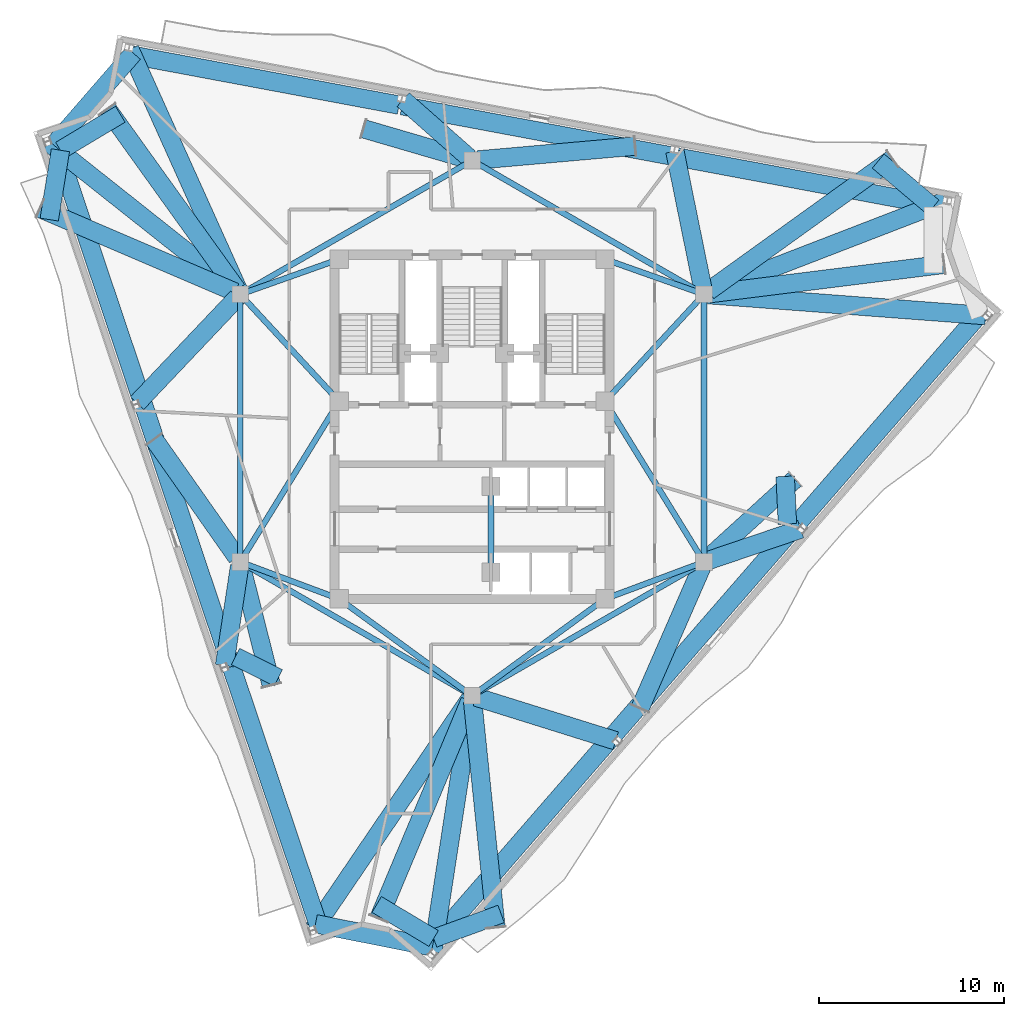
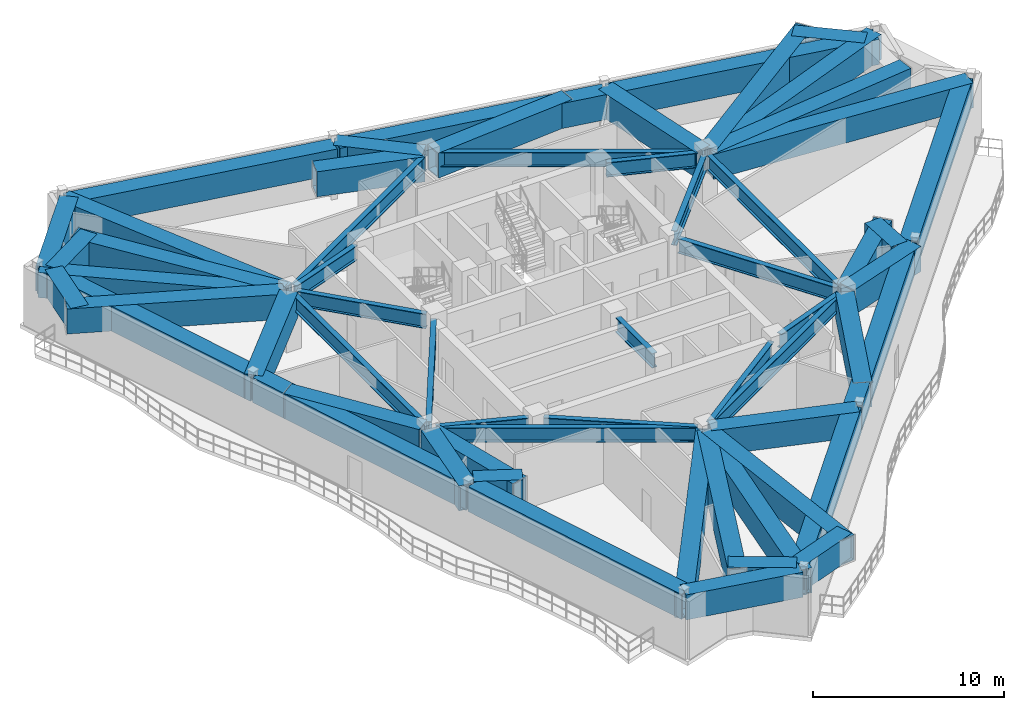
# One storey, part 3 of 10: 59 beams.
"""IFC4 building model written with IfcOpenShell, lengths in metres."""

from ifc_helpers import new_model, si_unit, direction, frame, origin, origin_2d, place, context, subcontext, project, spatial, hollow_rectangle, i_section, extrude, material, material_profile, profile_set, type_object, element, save


model = new_model("IFC4")

# Units and contexts
model_context = context("Model", 3, precision=1e-05, world=origin(), true_north=direction((0.0, 1.0)))
body_context = subcontext(model_context, "Body", "Model", "MODEL_VIEW")
ifc_project = project(units=[si_unit("LENGTHUNIT", "METRE"), si_unit("AREAUNIT", "SQUARE_METRE"), si_unit("VOLUMEUNIT", "CUBIC_METRE"), si_unit("PLANEANGLEUNIT", "RADIAN"), si_unit("MASSUNIT", "GRAM", prefix="KILO")], contexts=[model_context])

# Site, building, storey
site_placement = place(None, origin())
site = spatial("IfcSite", under=ifc_project, at=site_placement, CompositionType="ELEMENT")
building_placement = place(site_placement, origin())
building = spatial("IfcBuilding", under=site, at=building_placement, Name="Apsidion Concourse Tower", CompositionType="ELEMENT")
storey_placement = place(building_placement, frame((0.0, 0.0, 290.10009765625)))
storey = spatial("IfcBuildingStorey", under=building, at=storey_placement, Name="L68", CompositionType="ELEMENT", Elevation=290.10009765625)

# Beams
ifc_material_1 = material(Name="Structural steel ASTM A992 Grade 50", Category="steel")
ifc_material_profile_1 = material_profile(ifc_material_1, i_section(OverallWidth=0.31005859375, OverallDepth=0.931884765625, WebThickness=0.02099609375, FlangeThickness=0.034423828125, at=origin_2d()), Name="W36X210")
ifc_profile_set_1 = profile_set([ifc_material_profile_1], Name="Structural steel ASTM A992 Grade 50")
beam_type_1 = type_object("IfcBeamType", Name="BM-G-W36", PredefinedType="USERDEFINED", material=ifc_profile_set_1)
beam_1_placement = place(storey_placement, frame((-12.185302734375, -7.389892578125, 3.23388671875), z_axis=(0.936913021145, -0.349562570664, 0.0), x_axis=(0.349562570664, 0.936913021145, 0.0)))
element("IfcBeam", 1, at=beam_1_placement, inside=storey, type_object=beam_type_1, Name="L68 Core Coupling Girder IC1-SC1", ObjectType="GIRDER", PredefinedType="USERDEFINED", context=body_context, shape_type="SweptSolid", body=[
    extrude(i_section(OverallWidth=0.31005859375, OverallDepth=0.931884765625, WebThickness=0.02099609375, FlangeThickness=0.034423828125, at=origin_2d()), origin(), (0.0, 0.0, 1.0), 4.921142578125),
])
beam_2_placement = place(storey_placement, frame((-12.35009765625, -6.909423828125, 3.23388671875), z_axis=(0.524524009763, 0.851395656074, 0.0), x_axis=(-0.851395656074, 0.524524009763, 0.0)))
element("IfcBeam", 2, at=beam_2_placement, inside=storey, type_object=beam_type_1, Name="L68 Core Coupling Girder IC1-SC6", ObjectType="GIRDER", PredefinedType="USERDEFINED", context=body_context, shape_type="SweptSolid", body=[
    extrude(i_section(OverallWidth=0.31005859375, OverallDepth=0.931884765625, WebThickness=0.02099609375, FlangeThickness=0.034423828125, at=origin_2d()), origin(), (0.0, 0.0, 1.0), 9.41845703125),
])
beam_3_placement = place(storey_placement, frame((12.185302734375, -7.389892578125, 3.23388671875), z_axis=(-0.936913021145, -0.349562570664, 0.0), x_axis=(0.349562570664, -0.936913021145, 0.0)))
element("IfcBeam", 3, at=beam_3_placement, inside=storey, type_object=beam_type_1, Name="L68 Core Coupling Girder IC2-SC2", ObjectType="GIRDER", PredefinedType="USERDEFINED", context=body_context, shape_type="SweptSolid", body=[
    extrude(i_section(OverallWidth=0.31005859375, OverallDepth=0.931884765625, WebThickness=0.02099609375, FlangeThickness=0.034423828125, at=origin_2d()), origin(), (0.0, 0.0, 1.0), 4.921142578125),
])
beam_4_placement = place(storey_placement, frame((12.35009765625, -6.909423828125, 3.23388671875), z_axis=(-0.524524009763, 0.851395656074, 0.0), x_axis=(-0.851395656074, -0.524524009763, 0.0)))
element("IfcBeam", 4, at=beam_4_placement, inside=storey, type_object=beam_type_1, Name="L68 Core Coupling Girder IC2-SC3", ObjectType="GIRDER", PredefinedType="USERDEFINED", context=body_context, shape_type="SweptSolid", body=[
    extrude(i_section(OverallWidth=0.31005859375, OverallDepth=0.931884765625, WebThickness=0.02099609375, FlangeThickness=0.034423828125, at=origin_2d()), origin(), (0.0, 0.0, 1.0), 9.41845703125),
])
beam_5_placement = place(storey_placement, frame((12.28857421875, 6.956298828125, 3.23388671875), z_axis=(-0.678712876106, -0.73440372535, 0.0), x_axis=(0.73440372535, -0.678712876106, 0.0)))
element("IfcBeam", 5, at=beam_5_placement, inside=storey, type_object=beam_type_1, Name="L68 Core Coupling Girder IC3-SC3", ObjectType="GIRDER", PredefinedType="USERDEFINED", context=body_context, shape_type="SweptSolid", body=[
    extrude(i_section(OverallWidth=0.31005859375, OverallDepth=0.931884765625, WebThickness=0.02099609375, FlangeThickness=0.034423828125, at=origin_2d()), origin(), (0.0, 0.0, 1.0), 7.097412109375),
])
beam_6_placement = place(storey_placement, frame((12.18310546875, 7.383544921875, 3.23388671875), z_axis=(-0.942533844539, 0.334110688094, 0.0), x_axis=(-0.334110688094, -0.942533844539, 0.0)))
element("IfcBeam", 6, at=beam_6_placement, inside=storey, type_object=beam_type_1, Name="L68 Core Coupling Girder IC3-SC4", ObjectType="GIRDER", PredefinedType="USERDEFINED", context=body_context, shape_type="SweptSolid", body=[
    extrude(i_section(OverallWidth=0.31005859375, OverallDepth=0.931884765625, WebThickness=0.02099609375, FlangeThickness=0.034423828125, at=origin_2d()), origin(), (0.0, 0.0, 1.0), 4.886962890625),
])
beam_7_placement = place(storey_placement, frame((-12.28857421875, 6.956298828125, 3.23388671875), z_axis=(0.678712876106, -0.73440372535, 0.0), x_axis=(0.73440372535, 0.678712876106, 0.0)))
element("IfcBeam", 7, at=beam_7_placement, inside=storey, type_object=beam_type_1, Name="L68 Core Coupling Girder IC5-SC6", ObjectType="GIRDER", PredefinedType="USERDEFINED", context=body_context, shape_type="SweptSolid", body=[
    extrude(i_section(OverallWidth=0.31005859375, OverallDepth=0.931884765625, WebThickness=0.02099609375, FlangeThickness=0.034423828125, at=origin_2d()), origin(), (0.0, 0.0, 1.0), 7.097412109375),
])
beam_8_placement = place(storey_placement, frame((-12.18310546875, 7.383544921875, 3.23388671875), z_axis=(0.942533844539, 0.334110688094, 0.0), x_axis=(-0.334110688094, 0.942533844539, 0.0)))
element("IfcBeam", 8, at=beam_8_placement, inside=storey, type_object=beam_type_1, Name="L68 Core Coupling Girder IC5-SC5", ObjectType="GIRDER", PredefinedType="USERDEFINED", context=body_context, shape_type="SweptSolid", body=[
    extrude(i_section(OverallWidth=0.31005859375, OverallDepth=0.931884765625, WebThickness=0.02099609375, FlangeThickness=0.034423828125, at=origin_2d()), origin(), (0.0, 0.0, 1.0), 4.886962890625),
])
for number, where, z_axis, x_axis, name in (
    (9, (-0.3232421875, -14.264404296875, 3.23388671875), (-0.807993498909, 0.589191399905, 0.0), (-0.589191399905, -0.807993498909, 0.0), "L68 Core Coupling Girder IC6-SC1"),
    (10, (0.3232421875, -14.264404296875, 3.23388671875), (0.807993498909, 0.589191399905, 0.0), (-0.589191399905, 0.807993498909, 0.0), "L68 Core Coupling Girder IC6-SC2"),
):
    element("IfcBeam", number, at=place(storey_placement, frame(where, z_axis=z_axis, x_axis=x_axis)), inside=storey, type_object=beam_type_1, Name=name, ObjectType="GIRDER", PredefinedType="USERDEFINED", context=body_context, shape_type="SweptSolid", body=[
        extrude(i_section(OverallWidth=0.31005859375, OverallDepth=0.931884765625, WebThickness=0.02099609375, FlangeThickness=0.034423828125, at=origin_2d()), origin(), (0.0, 0.0, 1.0), 8.11083984375),
    ])
beam_9_placement = place(storey_placement, frame((-12.56005859375, -6.85009765625, 3.23388671875), z_axis=(0.0, 1.0, 0.0), x_axis=(-1.0, 0.0, 0.0)))
element("IfcBeam", 11, at=beam_9_placement, inside=storey, type_object=beam_type_1, Name="L68 Core Coupling Girder IC1-IC5", ObjectType="GIRDER", PredefinedType="USERDEFINED", context=body_context, shape_type="SweptSolid", body=[
    extrude(i_section(OverallWidth=0.31005859375, OverallDepth=0.931884765625, WebThickness=0.02099609375, FlangeThickness=0.034423828125, at=origin_2d()), origin(), (0.0, 0.0, 1.0), 13.7001953125),
])
for number, where, z_axis, x_axis, name in (
    (12, (-12.213623046875, 7.449951171875, 3.23388671875), (0.866070471464, 0.499921932364, 0.0), (-0.499921932364, 0.866070471464, 0.0), "L68 Core Coupling Girder IC5-IC4"),
    (13, (0.346435546875, 14.300048828125, 3.23388671875), (0.866070471464, -0.499921932364, 0.0), (0.499921932364, 0.866070471464, 0.0), "L68 Core Coupling Girder IC4-IC3"),
):
    element("IfcBeam", number, at=place(storey_placement, frame(where, z_axis=z_axis, x_axis=x_axis)), inside=storey, type_object=beam_type_1, Name=name, ObjectType="GIRDER", PredefinedType="USERDEFINED", context=body_context, shape_type="SweptSolid", body=[
        extrude(i_section(OverallWidth=0.31005859375, OverallDepth=0.931884765625, WebThickness=0.02099609375, FlangeThickness=0.034423828125, at=origin_2d()), origin(), (0.0, 0.0, 1.0), 13.702392578125),
    ])
beam_10_placement = place(storey_placement, frame((12.56005859375, 6.85009765625, 3.23388671875), z_axis=(0.0, -1.0, 0.0), x_axis=(1.0, 0.0, 0.0)))
element("IfcBeam", 14, at=beam_10_placement, inside=storey, type_object=beam_type_1, Name="L68 Core Coupling Girder IC3-IC2", ObjectType="GIRDER", PredefinedType="USERDEFINED", context=body_context, shape_type="SweptSolid", body=[
    extrude(i_section(OverallWidth=0.31005859375, OverallDepth=0.931884765625, WebThickness=0.02099609375, FlangeThickness=0.034423828125, at=origin_2d()), origin(), (0.0, 0.0, 1.0), 13.7001953125),
])
for number, where, z_axis, x_axis, name in (
    (15, (12.213623046875, -7.449951171875, 3.23388671875), (-0.866070471464, -0.499921932364, 0.0), (0.499921932364, -0.866070471464, 0.0), "L68 Core Coupling Girder IC2-IC6"),
    (16, (-0.346435546875, -14.300048828125, 3.23388671875), (-0.866070471464, 0.499921932364, 0.0), (-0.499921932364, -0.866070471464, 0.0), "L68 Core Coupling Girder IC6-IC1"),
):
    element("IfcBeam", number, at=place(storey_placement, frame(where, z_axis=z_axis, x_axis=x_axis)), inside=storey, type_object=beam_type_1, Name=name, ObjectType="GIRDER", PredefinedType="USERDEFINED", context=body_context, shape_type="SweptSolid", body=[
        extrude(i_section(OverallWidth=0.31005859375, OverallDepth=0.931884765625, WebThickness=0.02099609375, FlangeThickness=0.034423828125, at=origin_2d()), origin(), (0.0, 0.0, 1.0), 13.702392578125),
    ])
beam_11_placement = place(storey_placement, frame((1.02490234375, -3.550048828125, 3.23388671875), z_axis=(0.0, -1.0, 0.0), x_axis=(1.0, 0.0, 0.0)))
element("IfcBeam", 17, at=beam_11_placement, inside=storey, type_object=beam_type_1, Name="L68 Core Coupling Girder CC5-CC6", ObjectType="GIRDER", PredefinedType="USERDEFINED", context=body_context, shape_type="SweptSolid", body=[
    extrude(i_section(OverallWidth=0.31005859375, OverallDepth=0.931884765625, WebThickness=0.02099609375, FlangeThickness=0.034423828125, at=origin_2d()), origin(), (0.0, 0.0, 1.0), 3.849853515625),
])
ifc_material_2 = material(Name="Structural steel ASTM A572 Grade 50", Category="steel")
ifc_material_profile_2 = material_profile(ifc_material_2, hollow_rectangle(XDim=1.0, YDim=1.60009765625, WallThickness=0.074951171875, at=origin_2d()), Name="BOX1600X1000X75")
ifc_profile_set_2 = profile_set([ifc_material_profile_2], Name="Structural steel ASTM A572 Grade 50")
beam_type_2 = type_object("IfcBeamType", Name="BM-TR-1600", PredefinedType="USERDEFINED", material=ifc_profile_set_2)
for number, where, z_axis, x_axis, name in (
    (18, (-22.618896484375, 15.576416015625, 2.89990234375), (0.318689652952, -0.947859116695, 0.0), (0.947859116695, 0.318689652952, 0.0), "L68 Perimeter Spandrel Girder SP-01"),
    (19, (-17.829345703125, 1.331298828125, 2.89990234375), (0.318669941094, -0.947865743997, 0.0), (0.947865743997, 0.318669941094, 0.0), "L68 Perimeter Spandrel Girder SP-02"),
):
    element("IfcBeam", number, at=place(storey_placement, frame(where, z_axis=z_axis, x_axis=x_axis)), inside=storey, type_object=beam_type_2, Name=name, ObjectType="GIRDER", PredefinedType="USERDEFINED", context=body_context, shape_type="SweptSolid", body=[
        extrude(hollow_rectangle(XDim=1.0, YDim=1.60009765625, WallThickness=0.074951171875, at=origin_2d()), origin(), (0.0, 0.0, 1.0), 14.868896484375),
    ])
beam_12_placement = place(storey_placement, frame((-13.0400390625, -12.9140625, 2.89990234375), z_axis=(0.318674900785, -0.947864076548, 0.0), x_axis=(0.947864076548, 0.318674900785, 0.0)))
element("IfcBeam", 20, at=beam_12_placement, inside=storey, type_object=beam_type_2, Name="L68 Perimeter Spandrel Girder SP-03", ObjectType="GIRDER", PredefinedType="USERDEFINED", context=body_context, shape_type="SweptSolid", body=[
    extrude(hollow_rectangle(XDim=1.0, YDim=1.60009765625, WallThickness=0.074951171875, at=origin_2d()), origin(), (0.0, 0.0, 1.0), 14.86865234375),
])
beam_13_placement = place(storey_placement, frame((-8.48388671875, -26.847412109375, 2.89990234375), z_axis=(0.980932539303, -0.194348535719, 0.0), x_axis=(0.194348535719, 0.980932539303, 0.0)))
element("IfcBeam", 21, at=beam_13_placement, inside=storey, type_object=beam_type_2, Name="L68 Perimeter Spandrel Girder SP-04", ObjectType="GIRDER", PredefinedType="USERDEFINED", context=body_context, shape_type="SweptSolid", body=[
    extrude(hollow_rectangle(XDim=1.0, YDim=1.60009765625, WallThickness=0.074951171875, at=origin_2d()), origin(), (0.0, 0.0, 1.0), 6.45556640625),
])
for number, where, z_axis, x_axis, name in (
    (22, (-2.381103515625, -28.180908203125, 2.89990234375), (0.656050327833, 0.754717143936, 0.0), (-0.754717143936, 0.656050327833, 0.0), "L68 Perimeter Spandrel Girder SP-05"),
    (23, (7.639404296875, -16.653564453125, 2.89990234375), (0.656058326115, 0.754710191222, 0.0), (-0.754710191222, 0.656058326115, 0.0), "L68 Perimeter Spandrel Girder SP-06"),
    (24, (17.659912109375, -5.12646484375, 2.89990234375), (0.656058326115, 0.754710191222, 0.0), (-0.754710191222, 0.656058326115, 0.0), "L68 Perimeter Spandrel Girder SP-07"),
):
    element("IfcBeam", number, at=place(storey_placement, frame(where, z_axis=z_axis, x_axis=x_axis)), inside=storey, type_object=beam_type_2, Name=name, ObjectType="GIRDER", PredefinedType="USERDEFINED", context=body_context, shape_type="SweptSolid", body=[
        extrude(hollow_rectangle(XDim=1.0, YDim=1.60009765625, WallThickness=0.074951171875, at=origin_2d()), origin(), (0.0, 0.0, 1.0), 15.113525390625),
    ])
beam_14_placement = place(storey_placement, frame((25.58935546875, 11.979736328125, 2.89990234375), z_axis=(-0.982991131908, 0.183653027718, 0.0), x_axis=(-0.183653027718, -0.982991131908, 0.0)))
element("IfcBeam", 25, at=beam_14_placement, inside=storey, type_object=beam_type_2, Name="L68 Perimeter Spandrel Girder SP-09", ObjectType="GIRDER", PredefinedType="USERDEFINED", context=body_context, shape_type="SweptSolid", body=[
    extrude(hollow_rectangle(XDim=1.0, YDim=1.60009765625, WallThickness=0.074951171875, at=origin_2d()), origin(), (0.0, 0.0, 1.0), 14.868896484375),
])
beam_15_placement = place(storey_placement, frame((10.81640625, 14.739990234375, 2.89990234375), z_axis=(-0.982991685702, 0.183650063549, 0.0), x_axis=(-0.183650063549, -0.982991685702, 0.0)))
element("IfcBeam", 26, at=beam_15_placement, inside=storey, type_object=beam_type_2, Name="L68 Perimeter Spandrel Girder SP-10", ObjectType="GIRDER", PredefinedType="USERDEFINED", context=body_context, shape_type="SweptSolid", body=[
    extrude(hollow_rectangle(XDim=1.0, YDim=1.60009765625, WallThickness=0.074951171875, at=origin_2d()), origin(), (0.0, 0.0, 1.0), 14.869140625),
])
beam_16_placement = place(storey_placement, frame((-3.956787109375, 17.5, 2.89990234375), z_axis=(-0.982988167573, 0.183668893422, 0.0), x_axis=(-0.183668893422, -0.982988167573, 0.0)))
element("IfcBeam", 27, at=beam_16_placement, inside=storey, type_object=beam_type_2, Name="L68 Perimeter Spandrel Girder SP-11", ObjectType="GIRDER", PredefinedType="USERDEFINED", context=body_context, shape_type="SweptSolid", body=[
    extrude(hollow_rectangle(XDim=1.0, YDim=1.60009765625, WallThickness=0.074951171875, at=origin_2d()), origin(), (0.0, 0.0, 1.0), 14.868896484375),
])
beam_17_placement = place(storey_placement, frame((-18.347412109375, 20.309326171875, 2.89990234375), z_axis=(-0.656066663254, -0.754702943791, 0.0), x_axis=(0.754702943791, -0.656066663254, 0.0)))
element("IfcBeam", 28, at=beam_17_placement, inside=storey, type_object=beam_type_2, Name="L68 Perimeter Spandrel Girder SP-12", ObjectType="GIRDER", PredefinedType="USERDEFINED", context=body_context, shape_type="SweptSolid", body=[
    extrude(hollow_rectangle(XDim=1.0, YDim=1.60009765625, WallThickness=0.074951171875, at=origin_2d()), origin(), (0.0, 0.0, 1.0), 6.58154296875),
])
beam_18_placement = place(storey_placement, frame((-12.732421875, 7.38671875, 2.89990234375), z_axis=(-0.783584000329, 0.621285855648, 0.0), x_axis=(-0.621285855648, -0.783584000329, 0.0)))
element("IfcBeam", 29, at=beam_18_placement, inside=storey, type_object=beam_type_2, Name="L68 Radial Floor Girder RAD-01", ObjectType="GIRDER", PredefinedType="USERDEFINED", context=body_context, shape_type="SweptSolid", body=[
    extrude(hollow_rectangle(XDim=1.0, YDim=1.60009765625, WallThickness=0.074951171875, at=origin_2d()), origin(), (0.0, 0.0, 1.0), 13.009033203125),
])
beam_19_placement = place(storey_placement, frame((-12.71142578125, 7.09033203125, 2.89990234375), z_axis=(-0.688064364837, -0.72564966054, 0.0), x_axis=(0.72564966054, -0.688064364837, 0.0)))
element("IfcBeam", 30, at=beam_19_placement, inside=storey, type_object=beam_type_2, Name="L68 Radial Floor Girder RAD-02", ObjectType="GIRDER", PredefinedType="USERDEFINED", context=body_context, shape_type="SweptSolid", body=[
    extrude(hollow_rectangle(XDim=1.0, YDim=1.60009765625, WallThickness=0.074951171875, at=origin_2d()), origin(), (0.0, 0.0, 1.0), 7.898681640625),
])
beam_20_placement = place(storey_placement, frame((-12.593017578125, -7.467529296875, 2.89990234375), z_axis=(-0.149944598724, -0.988694400365, 0.0), x_axis=(0.988694400365, -0.149944598724, 0.0)))
element("IfcBeam", 31, at=beam_20_placement, inside=storey, type_object=beam_type_2, Name="L68 Radial Floor Girder RAD-03", ObjectType="GIRDER", PredefinedType="USERDEFINED", context=body_context, shape_type="SweptSolid", body=[
    extrude(hollow_rectangle(XDim=1.0, YDim=1.60009765625, WallThickness=0.074951171875, at=origin_2d()), origin(), (0.0, 0.0, 1.0), 5.45458984375),
])
beam_21_placement = place(storey_placement, frame((-0.123779296875, -14.681884765625, 2.89990234375), z_axis=(-0.56217993865, -0.827014943383, 0.0), x_axis=(0.827014943383, -0.56217993865, 0.0)))
element("IfcBeam", 32, at=beam_21_placement, inside=storey, type_object=beam_type_2, Name="L68 Radial Floor Girder RAD-04", ObjectType="GIRDER", PredefinedType="USERDEFINED", context=body_context, shape_type="SweptSolid", body=[
    extrude(hollow_rectangle(XDim=1.0, YDim=1.60009765625, WallThickness=0.074951171875, at=origin_2d()), origin(), (0.0, 0.0, 1.0), 15.0419921875),
])
beam_22_placement = place(storey_placement, frame((-0.033447265625, -14.717529296875, 2.89990234375), z_axis=(-0.151664637663, -0.988432009641, 0.0), x_axis=(0.988432009641, -0.151664637663, 0.0)))
element("IfcBeam", 33, at=beam_22_placement, inside=storey, type_object=beam_type_2, Name="L68 Radial Floor Girder RAD-05", ObjectType="GIRDER", PredefinedType="USERDEFINED", context=body_context, shape_type="SweptSolid", body=[
    extrude(hollow_rectangle(XDim=1.0, YDim=1.60009765625, WallThickness=0.074951171875, at=origin_2d()), origin(), (0.0, 0.0, 1.0), 13.833984375),
])
beam_23_placement = place(storey_placement, frame((0.2099609375, -14.565673828125, 2.89990234375), z_axis=(0.954387901166, -0.298569479532, 0.0), x_axis=(0.298569479532, 0.954387901166, 0.0)))
element("IfcBeam", 34, at=beam_23_placement, inside=storey, type_object=beam_type_2, Name="L68 Radial Floor Girder RAD-06", ObjectType="GIRDER", PredefinedType="USERDEFINED", context=body_context, shape_type="SweptSolid", body=[
    extrude(hollow_rectangle(XDim=1.0, YDim=1.60009765625, WallThickness=0.074951171875, at=origin_2d()), origin(), (0.0, 0.0, 1.0), 7.93017578125),
])
beam_24_placement = place(storey_placement, frame((12.768310546875, -7.17919921875, 2.89990234375), z_axis=(0.946764063089, 0.321928266612, 0.0), x_axis=(-0.321928266612, 0.946764063089, 0.0)))
element("IfcBeam", 35, at=beam_24_placement, inside=storey, type_object=beam_type_2, Name="L68 Radial Floor Girder RAD-07", ObjectType="GIRDER", PredefinedType="USERDEFINED", context=body_context, shape_type="SweptSolid", body=[
    extrude(hollow_rectangle(XDim=1.0, YDim=1.60009765625, WallThickness=0.074951171875, at=origin_2d()), origin(), (0.0, 0.0, 1.0), 5.31396484375),
])
beam_25_placement = place(storey_placement, frame((12.779296875, 7.2333984375, 2.89990234375), z_axis=(0.997162813541, -0.075274984495, 0.0), x_axis=(0.075274984495, 0.997162813541, 0.0)))
element("IfcBeam", 36, at=beam_25_placement, inside=storey, type_object=beam_type_2, Name="L68 Radial Floor Girder RAD-08", ObjectType="GIRDER", PredefinedType="USERDEFINED", context=body_context, shape_type="SweptSolid", body=[
    extrude(hollow_rectangle(XDim=1.0, YDim=1.60009765625, WallThickness=0.074951171875, at=origin_2d()), origin(), (0.0, 0.0, 1.0), 15.078125),
])
beam_26_placement = place(storey_placement, frame((12.76513671875, 7.3291015625, 2.89990234375), z_axis=(0.932864861943, 0.360226525053, 0.0), x_axis=(-0.360226525053, 0.932864861943, 0.0)))
element("IfcBeam", 37, at=beam_26_placement, inside=storey, type_object=beam_type_2, Name="L68 Radial Floor Girder RAD-09", ObjectType="GIRDER", PredefinedType="USERDEFINED", context=body_context, shape_type="SweptSolid", body=[
    extrude(hollow_rectangle(XDim=1.0, YDim=1.60009765625, WallThickness=0.074951171875, at=origin_2d()), origin(), (0.0, 0.0, 1.0), 13.806396484375),
])
beam_27_placement = place(storey_placement, frame((12.51611328125, 7.465576171875, 2.89990234375), z_axis=(-0.199174271345, 0.97996408589, 0.0), x_axis=(-0.97996408589, -0.199174271345, 0.0)))
element("IfcBeam", 38, at=beam_27_placement, inside=storey, type_object=beam_type_2, Name="L68 Radial Floor Girder RAD-10", ObjectType="GIRDER", PredefinedType="USERDEFINED", context=body_context, shape_type="SweptSolid", body=[
    extrude(hollow_rectangle(XDim=1.0, YDim=1.60009765625, WallThickness=0.074951171875, at=origin_2d()), origin(), (0.0, 0.0, 1.0), 7.689208984375),
])
beam_28_placement = place(storey_placement, frame((-0.1650390625, 14.6455078125, 2.89990234375), z_axis=(-0.749977100091, 0.661463792917, 0.0), x_axis=(-0.661463792917, -0.749977100091, 0.0)))
element("IfcBeam", 39, at=beam_28_placement, inside=storey, type_object=beam_type_2, Name="L68 Radial Floor Girder RAD-11", ObjectType="GIRDER", PredefinedType="USERDEFINED", context=body_context, shape_type="SweptSolid", body=[
    extrude(hollow_rectangle(XDim=1.0, YDim=1.60009765625, WallThickness=0.074951171875, at=origin_2d()), origin(), (0.0, 0.0, 1.0), 4.758056640625),
])
beam_29_placement = place(storey_placement, frame((-12.650390625, 7.45068359375, 2.89990234375), z_axis=(-0.410678909967, 0.911780035375, 0.0), x_axis=(-0.911780035375, -0.410678909967, 0.0)))
element("IfcBeam", 40, at=beam_29_placement, inside=storey, type_object=beam_type_2, Name="L68 Radial Floor Girder RAD-12", ObjectType="GIRDER", PredefinedType="USERDEFINED", context=body_context, shape_type="SweptSolid", body=[
    extrude(hollow_rectangle(XDim=1.0, YDim=1.60009765625, WallThickness=0.074951171875, at=origin_2d()), origin(), (0.0, 0.0, 1.0), 14.342529296875),
])
beam_30_placement = place(storey_placement, frame((-12.835693359375, 7.3681640625, 2.89990234375), z_axis=(-0.919053779897, 0.394132147454, 0.0), x_axis=(-0.394132147454, -0.919053779897, 0.0)))
element("IfcBeam", 41, at=beam_30_placement, inside=storey, type_object=beam_type_2, Name="L68 Block-Step Radial Transfer Girder NTR-01", ObjectType="GIRDER", PredefinedType="USERDEFINED", context=body_context, shape_type="SweptSolid", body=[
    extrude(hollow_rectangle(XDim=1.0, YDim=1.60009765625, WallThickness=0.074951171875, at=origin_2d()), origin(), (0.0, 0.0, 1.0), 11.4892578125),
])
beam_31_placement = place(storey_placement, frame((-22.300048828125, 15.0556640625, 2.89990234375), z_axis=(-0.159391813986, -0.987215401842, 0.0), x_axis=(0.987215401842, -0.159391813986, 0.0)))
element("IfcBeam", 42, at=beam_31_placement, inside=storey, type_object=beam_type_2, Name="L68 Block-Step Perimeter Transfer Bridge NBR-01", ObjectType="GIRDER", PredefinedType="USERDEFINED", context=body_context, shape_type="SweptSolid", body=[
    extrude(hollow_rectangle(XDim=1.0, YDim=1.60009765625, WallThickness=0.074951171875, at=origin_2d()), origin(), (0.0, 0.0, 1.0), 3.8046875),
])
beam_32_placement = place(storey_placement, frame((-12.732421875, -7.00439453125, 2.89990234375), z_axis=(-0.574913830883, 0.818213961663, 0.0), x_axis=(-0.818213961663, -0.574913830883, 0.0)))
element("IfcBeam", 43, at=beam_32_placement, inside=storey, type_object=beam_type_2, Name="L68 Block-Step Radial Transfer Girder NTR-02", ObjectType="GIRDER", PredefinedType="USERDEFINED", context=body_context, shape_type="SweptSolid", body=[
    extrude(hollow_rectangle(XDim=1.0, YDim=1.60009765625, WallThickness=0.074951171875, at=origin_2d()), origin(), (0.0, 0.0, 1.0), 7.806884765625),
])
beam_33_placement = place(storey_placement, frame((-12.486572265625, -7.541015625, 2.89990234375), z_axis=(0.244810699195, -0.969570895582, 0.0), x_axis=(0.969570895582, 0.244810699195, 0.0)))
element("IfcBeam", 44, at=beam_33_placement, inside=storey, type_object=beam_type_2, Name="L68 Block-Step Radial Transfer Girder NTR-03", ObjectType="GIRDER", PredefinedType="USERDEFINED", context=body_context, shape_type="SweptSolid", body=[
    extrude(hollow_rectangle(XDim=1.0, YDim=1.60009765625, WallThickness=0.074951171875, at=origin_2d()), origin(), (0.0, 0.0, 1.0), 6.56298828125),
])
beam_34_placement = place(storey_placement, frame((-12.814208984375, -12.368896484375, 2.89990234375), z_axis=(0.894671940269, -0.446723761732, 0.0), x_axis=(0.446723761732, 0.894671940269, 0.0)))
element("IfcBeam", 45, at=beam_34_placement, inside=storey, type_object=beam_type_2, Name="L68 Block-Step Perimeter Transfer Bridge NBR-03", ObjectType="GIRDER", PredefinedType="USERDEFINED", context=body_context, shape_type="SweptSolid", body=[
    extrude(hollow_rectangle(XDim=1.0, YDim=1.60009765625, WallThickness=0.074951171875, at=origin_2d()), origin(), (0.0, 0.0, 1.0), 2.592041015625),
])
beam_35_placement = place(storey_placement, frame((-0.115966796875, -14.776611328125, 2.89990234375), z_axis=(-0.386317868613, -0.922365710762, 0.0), x_axis=(0.922365710762, -0.386317868613, 0.0)))
element("IfcBeam", 46, at=beam_35_placement, inside=storey, type_object=beam_type_2, Name="L68 Block-Step Radial Transfer Girder NTR-04", ObjectType="GIRDER", PredefinedType="USERDEFINED", context=body_context, shape_type="SweptSolid", body=[
    extrude(hollow_rectangle(XDim=1.0, YDim=1.60009765625, WallThickness=0.074951171875, at=origin_2d()), origin(), (0.0, 0.0, 1.0), 12.763916015625),
])
beam_36_placement = place(storey_placement, frame((-2.0830078125, -27.642822265625, 2.89990234375), z_axis=(-0.858534955505, 0.512755039152, 0.0), x_axis=(-0.512755039152, -0.858534955505, 0.0)))
element("IfcBeam", 47, at=beam_36_placement, inside=storey, type_object=beam_type_2, Name="L68 Block-Step Perimeter Transfer Bridge NBR-04", ObjectType="GIRDER", PredefinedType="USERDEFINED", context=body_context, shape_type="SweptSolid", body=[
    extrude(hollow_rectangle(XDim=1.0, YDim=1.60009765625, WallThickness=0.074951171875, at=origin_2d()), origin(), (0.0, 0.0, 1.0), 3.591064453125),
])
beam_37_placement = place(storey_placement, frame((0.03076171875, -14.79833984375, 2.89990234375), z_axis=(0.102389066711, -0.994744428996, 0.0), x_axis=(0.994744428996, 0.102389066711, 0.0)))
element("IfcBeam", 48, at=beam_37_placement, inside=storey, type_object=beam_type_2, Name="L68 Block-Step Radial Transfer Girder NTR-05", ObjectType="GIRDER", PredefinedType="USERDEFINED", context=body_context, shape_type="SweptSolid", body=[
    extrude(hollow_rectangle(XDim=1.0, YDim=1.60009765625, WallThickness=0.074951171875, at=origin_2d()), origin(), (0.0, 0.0, 1.0), 12.296630859375),
])
beam_38_placement = place(storey_placement, frame((-2.0830078125, -27.642822265625, 2.89990234375), z_axis=(0.939670554973, 0.342080762563, 0.0), x_axis=(-0.342080762563, 0.939670554973, 0.0)))
element("IfcBeam", 49, at=beam_38_placement, inside=storey, type_object=beam_type_2, Name="L68 Block-Step Perimeter Transfer Bridge NBR-05", ObjectType="GIRDER", PredefinedType="USERDEFINED", context=body_context, shape_type="SweptSolid", body=[
    extrude(hollow_rectangle(XDim=1.0, YDim=1.60009765625, WallThickness=0.074951171875, at=origin_2d()), origin(), (0.0, 0.0, 1.0), 3.888916015625),
])
beam_39_placement = place(storey_placement, frame((12.439697265625, -7.52490234375, 2.89990234375), z_axis=(-0.400665229265, -0.916224521642, 0.0), x_axis=(0.916224521642, -0.400665229265, 0.0)))
element("IfcBeam", 50, at=beam_39_placement, inside=storey, type_object=beam_type_2, Name="L68 Block-Step Radial Transfer Girder NTR-06", ObjectType="GIRDER", PredefinedType="USERDEFINED", context=body_context, shape_type="SweptSolid", body=[
    extrude(hollow_rectangle(XDim=1.0, YDim=1.60009765625, WallThickness=0.074951171875, at=origin_2d()), origin(), (0.0, 0.0, 1.0), 8.338134765625),
])
beam_40_placement = place(storey_placement, frame((12.781982421875, -7.048095703125, 2.89990234375), z_axis=(0.739587154537, 0.673060800258, 0.0), x_axis=(-0.673060800258, 0.739587154537, 0.0)))
element("IfcBeam", 51, at=beam_40_placement, inside=storey, type_object=beam_type_2, Name="L68 Block-Step Radial Transfer Girder NTR-07", ObjectType="GIRDER", PredefinedType="USERDEFINED", context=body_context, shape_type="SweptSolid", body=[
    extrude(hollow_rectangle(XDim=1.0, YDim=1.60009765625, WallThickness=0.074951171875, at=origin_2d()), origin(), (0.0, 0.0, 1.0), 6.356201171875),
])
beam_41_placement = place(storey_placement, frame((17.080810546875, -5.189208984375, 2.89990234375), z_axis=(-0.046292244349, 0.9989279394, 0.0), x_axis=(-0.9989279394, -0.046292244349, 0.0)))
element("IfcBeam", 52, at=beam_41_placement, inside=storey, type_object=beam_type_2, Name="L68 Block-Step Perimeter Transfer Bridge NBR-07", ObjectType="GIRDER", PredefinedType="USERDEFINED", context=body_context, shape_type="SweptSolid", body=[
    extrude(hollow_rectangle(XDim=1.0, YDim=1.60009765625, WallThickness=0.074951171875, at=origin_2d()), origin(), (0.0, 0.0, 1.0), 2.578857421875),
])
beam_42_placement = place(storey_placement, frame((12.857666015625, 7.287109375, 2.89990234375), z_axis=(0.992262901216, 0.124154479863, 0.0), x_axis=(-0.124154479863, 0.992262901216, 0.0)))
element("IfcBeam", 53, at=beam_42_placement, inside=storey, type_object=beam_type_2, Name="L68 Block-Step Radial Transfer Girder NTR-08", ObjectType="GIRDER", PredefinedType="USERDEFINED", context=body_context, shape_type="SweptSolid", body=[
    extrude(hollow_rectangle(XDim=1.0, YDim=1.60009765625, WallThickness=0.074951171875, at=origin_2d()), origin(), (0.0, 0.0, 1.0), 12.797607421875),
])
beam_43_placement = place(storey_placement, frame((12.8037109375, 7.425048828125, 2.89990234375), z_axis=(0.811977040161, 0.583689374797, 0.0), x_axis=(-0.583689374797, 0.811977040161, 0.0)))
element("IfcBeam", 54, at=beam_43_placement, inside=storey, type_object=beam_type_2, Name="L68 Block-Step Radial Transfer Girder NTR-09", ObjectType="GIRDER", PredefinedType="USERDEFINED", context=body_context, shape_type="SweptSolid", body=[
    extrude(hollow_rectangle(XDim=1.0, YDim=1.60009765625, WallThickness=0.074951171875, at=origin_2d()), origin(), (0.0, 0.0, 1.0), 12.26318359375),
])
beam_44_placement = place(storey_placement, frame((24.97119140625, 11.97119140625, 2.89990234375), z_axis=(-0.765606999257, 0.643308575016, 0.0), x_axis=(-0.643308575016, -0.765606999257, 0.0)))
element("IfcBeam", 55, at=beam_44_placement, inside=storey, type_object=beam_type_2, Name="L68 Block-Step Perimeter Transfer Bridge NBR-09", ObjectType="GIRDER", PredefinedType="USERDEFINED", context=body_context, shape_type="SweptSolid", body=[
    extrude(hollow_rectangle(XDim=1.0, YDim=1.60009765625, WallThickness=0.074951171875, at=origin_2d()), origin(), (0.0, 0.0, 1.0), 3.8828125),
])
beam_45_placement = place(storey_placement, frame((0.298828125, 14.5263671875, 2.89990234375), z_axis=(0.996117269739, 0.088036270522, 0.0), x_axis=(-0.088036270522, 0.996117269739, 0.0)))
element("IfcBeam", 56, at=beam_45_placement, inside=storey, type_object=beam_type_2, Name="L68 Block-Step Radial Transfer Girder NTR-10", ObjectType="GIRDER", PredefinedType="USERDEFINED", context=body_context, shape_type="SweptSolid", body=[
    extrude(hollow_rectangle(XDim=1.0, YDim=1.60009765625, WallThickness=0.074951171875, at=origin_2d()), origin(), (0.0, 0.0, 1.0), 8.552490234375),
])
beam_46_placement = place(storey_placement, frame((-0.2880859375, 14.583984375, 2.89990234375), z_axis=(-0.959845742293, 0.280528342601, 0.0), x_axis=(-0.280528342601, -0.959845742293, 0.0)))
element("IfcBeam", 57, at=beam_46_placement, inside=storey, type_object=beam_type_2, Name="L68 Block-Step Radial Transfer Girder NTR-11", ObjectType="GIRDER", PredefinedType="USERDEFINED", context=body_context, shape_type="SweptSolid", body=[
    extrude(hollow_rectangle(XDim=1.0, YDim=1.60009765625, WallThickness=0.074951171875, at=origin_2d()), origin(), (0.0, 0.0, 1.0), 5.819580078125),
])
beam_47_placement = place(storey_placement, frame((-12.73486328125, 7.493896484375, 2.89990234375), z_axis=(-0.582889240923, 0.812551618555, 0.0), x_axis=(-0.812551618555, -0.582889240923, 0.0)))
element("IfcBeam", 58, at=beam_47_placement, inside=storey, type_object=beam_type_2, Name="L68 Block-Step Radial Transfer Girder NTR-12", ObjectType="GIRDER", PredefinedType="USERDEFINED", context=body_context, shape_type="SweptSolid", body=[
    extrude(hollow_rectangle(XDim=1.0, YDim=1.60009765625, WallThickness=0.074951171875, at=origin_2d()), origin(), (0.0, 0.0, 1.0), 12.03466796875),
])
beam_48_placement = place(storey_placement, frame((-22.300048828125, 15.0556640625, 2.89990234375), z_axis=(0.857116920019, 0.51512191316, 0.0), x_axis=(-0.51512191316, 0.857116920019, 0.0)))
element("IfcBeam", 59, at=beam_48_placement, inside=storey, type_object=beam_type_2, Name="L68 Block-Step Perimeter Transfer Bridge NBR-12", ObjectType="GIRDER", PredefinedType="USERDEFINED", context=body_context, shape_type="SweptSolid", body=[
    extrude(hollow_rectangle(XDim=1.0, YDim=1.60009765625, WallThickness=0.074951171875, at=origin_2d()), origin(), (0.0, 0.0, 1.0), 3.783447265625),
])

save(model, "model.ifc")
